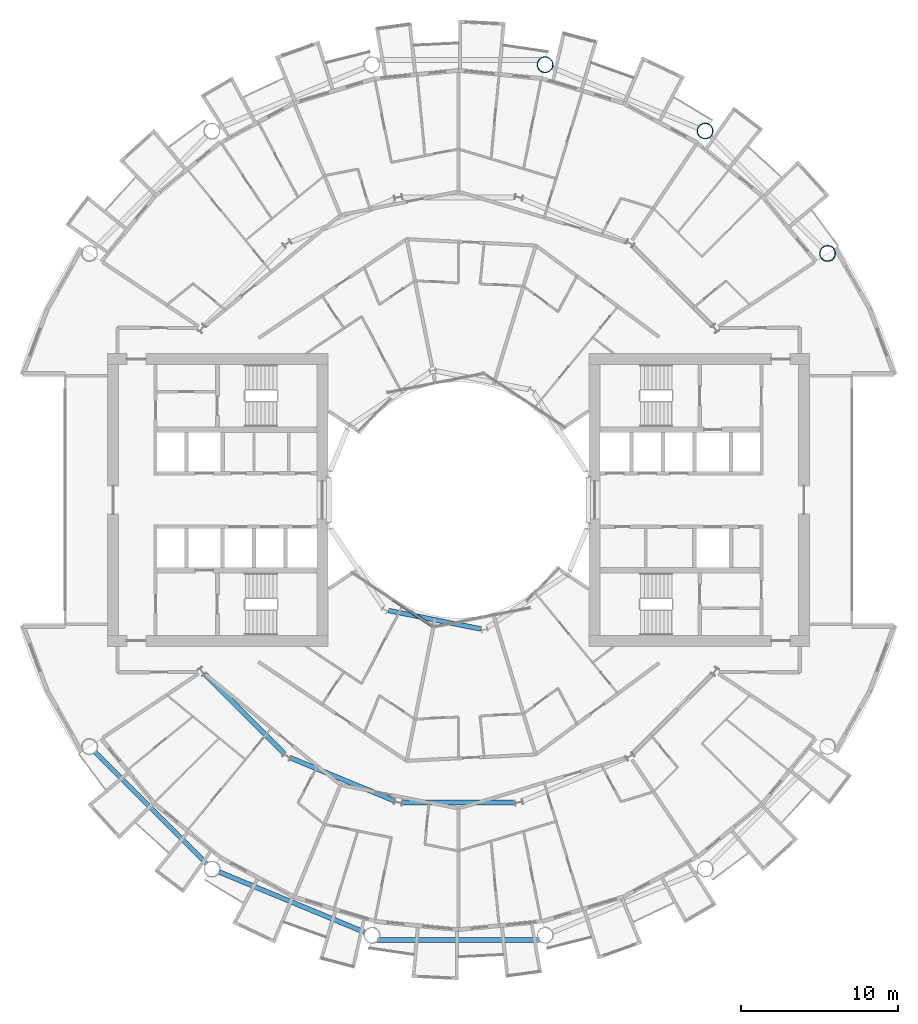
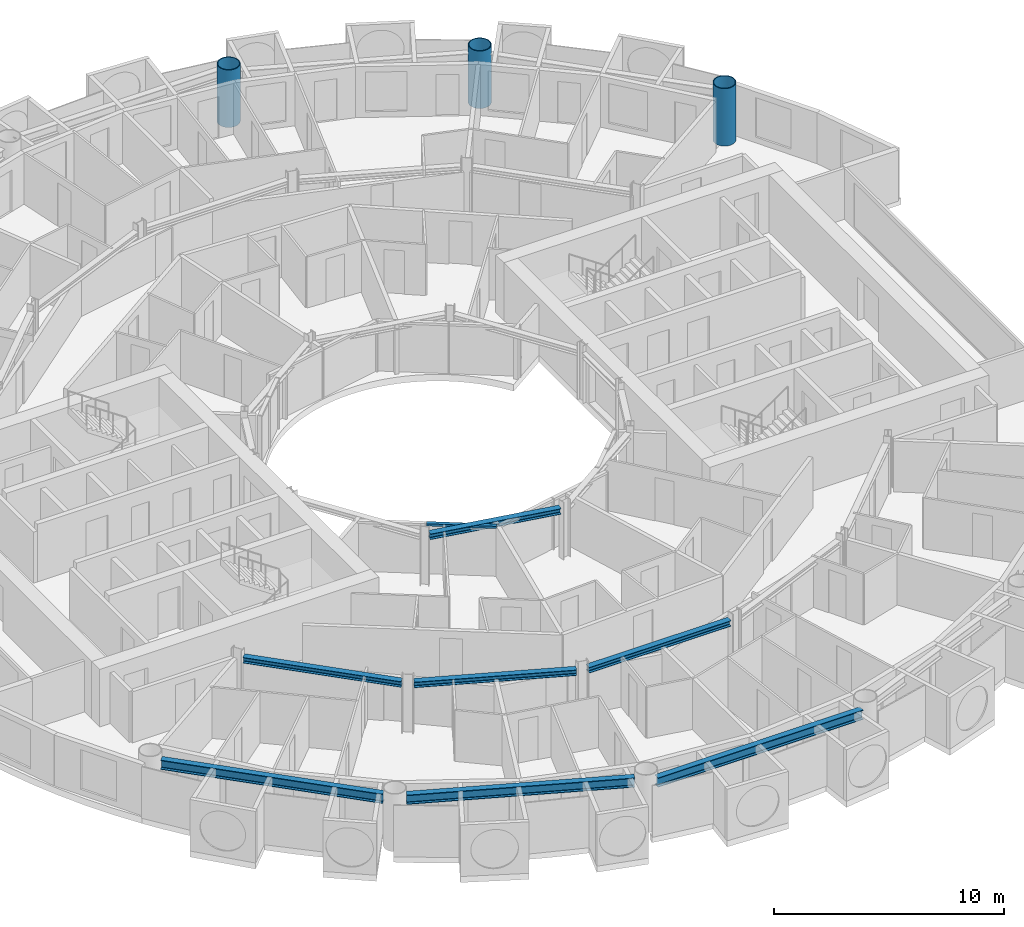
# One storey, part 4 of 26: 7 beams, 3 columns, 1 member, 1 element without a shape of its own.
"""IFC4 building model written with IfcOpenShell, lengths in metres."""

from ifc_helpers import new_model, si_unit, direction, frame, origin, origin_2d, place, context, subcontext, project, spatial, rectangle, hollow_circle, i_section, extrude, material, layer, layer_set, material_profile, profile_set, type_object, element, aggregate, save


model = new_model("IFC4")

# Units and contexts
model_context = context("Model", 3, precision=1e-05, world=origin(), true_north=direction((0.0, 1.0)))
body_context = subcontext(model_context, "Body", "Model", "MODEL_VIEW")
ifc_project = project(units=[si_unit("LENGTHUNIT", "METRE"), si_unit("AREAUNIT", "SQUARE_METRE"), si_unit("VOLUMEUNIT", "CUBIC_METRE"), si_unit("PLANEANGLEUNIT", "RADIAN"), si_unit("MASSUNIT", "GRAM", prefix="KILO")], contexts=[model_context])

# Site, building, storey
site_placement = place(None, origin())
site = spatial("IfcSite", under=ifc_project, at=site_placement, CompositionType="ELEMENT")
building_placement = place(site_placement, origin())
building = spatial("IfcBuilding", under=site, at=building_placement, Name="Maasbend Ring Residences", CompositionType="ELEMENT")
storey_placement = place(building_placement, frame((0.0, 0.0, 88.0)))
storey = spatial("IfcBuildingStorey", under=building, at=storey_placement, Name="L25", CompositionType="ELEMENT", Elevation=88.0)

# Columns
ifc_material_1 = material(Name="Composite concrete-filled steel tube S460NH / C80/95", Category="concrete")
ifc_material_profile_1 = material_profile(ifc_material_1, hollow_circle(Radius=0.508056640625, WallThickness=0.0400390625, at=origin_2d()), Name="Composite tube column CHS 1016x40")
ifc_profile_set_1 = profile_set([ifc_material_profile_1], Name="Composite concrete-filled steel tube S460NH / C80/95")
column_type = type_object("IfcColumnType", Name="Composite tube column CHS 1016x40", PredefinedType="COLUMN", material=ifc_profile_set_1)
for number, where, z_axis, x_axis, name in (
    (1, (23.447509765625, 15.6669921875, 0.0), (0.0, 0.0, 1.0), (1.0, 0.0, 0.0), "Outer column R2"),
    (2, (15.6669921875, 23.447509765625, 0.0), (0.0, 0.0, 1.0), (1.0, 0.0, 0.0), "Outer column R3"),
    (3, (5.50146484375, 27.658203125, 0.0), (0.0, 0.0, 1.0), (1.0, 0.0, 0.0), "Outer column R4"),
):
    element("IfcColumn", number, at=place(storey_placement, frame(where, z_axis=z_axis, x_axis=x_axis)), inside=storey, type_object=column_type, Name=name, PredefinedType="COLUMN", context=body_context, shape_type="SweptSolid", body=[
        extrude(hollow_circle(Radius=0.508056640625, WallThickness=0.0400390625, at=origin_2d()), origin(), (0.0, 0.0, 1.0), 3.050048828125),
    ])

# Curtain wall, member
ifc_material_2 = material(Name="Aluminium and clear glass", Category="aluminium")
ifc_layer = layer(ifc_material_2, 0.179931640625)
ifc_layer_set = layer_set([ifc_layer], Name="CW-W")
curtain_wall_type = type_object("IfcCurtainWallType", Name="CW-W", PredefinedType="NOTDEFINED", material=ifc_layer_set)
curtain_wall_placement = place(storey_placement, origin())
curtain_wall = element("IfcCurtainWall", 4, at=curtain_wall_placement, inside=storey, type_object=curtain_wall_type, Name="Well curtain wall S1", PredefinedType="NOTDEFINED")
ifc_material_3 = material(Name="Aluminium 6063-T6", Category="aluminium")
ifc_material_profile_2 = material_profile(ifc_material_3, rectangle(XDim=0.179931640625, YDim=0.1201171875, at=origin_2d()), Name="AL 180x120")
ifc_profile_set_2 = profile_set([ifc_material_profile_2], Name="Aluminium 6063-T6")
member_type = type_object("IfcMemberType", Name="CWT-W", PredefinedType="USERDEFINED", material=ifc_profile_set_2)
member_placement = place(storey_placement, frame((-4.19189453125, -6.32763671875, 2.639892578125), z_axis=(0.831496422459, -0.555530106689, 0.0), x_axis=(0.555530106689, 0.831496422459, 0.0)))
member = element("IfcMember", 5, at=member_placement, type_object=member_type, Name="Transom well face", ObjectType="TRANSOM", PredefinedType="USERDEFINED", context=body_context, shape_type="SweptSolid", body=[
    extrude(rectangle(XDim=0.179931640625, YDim=0.1201171875, at=origin_2d()), origin(), (0.0, 0.0, 1.0), 3.053955078125),
])
aggregate(curtain_wall, [member])

# Beams
ifc_material_4 = material(Name="Steel S355J2", Category="steel")
ifc_material_profile_3 = material_profile(ifc_material_4, i_section(OverallWidth=0.300048828125, OverallDepth=0.300048828125, WebThickness=0.010986328125, FlangeThickness=0.01904296875, FilletRadius=0.027099609375, at=origin_2d()), Name="HEB 300")
ifc_profile_set_3 = profile_set([ifc_material_profile_3], Name="Steel S355J2")
beam_type_1 = type_object("IfcBeamType", Name="Corridor ring beam HEB 300", PredefinedType="BEAM", material=ifc_profile_set_3)
for number, where, z_axis, x_axis, name in (
    (6, (-16.10791015625, -11.078125, 2.550048828125), (0.707106781187, -0.707106781187, 0.0), (0.707106781187, 0.707106781187, 0.0), "Corridor ring beam"),
    (7, (-10.642333984375, -16.39892578125, 2.550048828125), (0.923877113721, -0.382689271788, 0.0), (0.382689271788, 0.923877113721, 0.0), "Corridor ring beam"),
    (8, (-3.556640625, -19.223388671875, 2.550048828125), (1.0, 0.0, 0.0), (0.0, 1.0, 0.0), "Corridor ring beam"),
):
    element("IfcBeam", number, at=place(storey_placement, frame(where, z_axis=z_axis, x_axis=x_axis)), inside=storey, type_object=beam_type_1, Name=name, PredefinedType="BEAM", context=body_context, shape_type="SweptSolid", body=[
        extrude(i_section(OverallWidth=0.300048828125, OverallDepth=0.300048828125, WebThickness=0.010986328125, FlangeThickness=0.01904296875, FilletRadius=0.027099609375, at=origin_2d()), origin(), (0.0, 0.0, 1.0), 7.11328125),
    ])
ifc_material_5 = material(Name="Steel S355J2", Category="steel")
ifc_material_profile_4 = material_profile(ifc_material_5, i_section(OverallWidth=0.300048828125, OverallDepth=0.5, WebThickness=0.014404296875, FlangeThickness=0.028076171875, FilletRadius=0.027099609375, at=origin_2d()), Name="HEB 500")
ifc_profile_set_4 = profile_set([ifc_material_profile_4], Name="Steel S355J2")
beam_type_2 = type_object("IfcBeamType", Name="Spandrel ring beam HEB 500", PredefinedType="SPANDREL", material=ifc_profile_set_4)
beam_1_placement = place(storey_placement, frame((-23.088134765625, -16.0263671875, 2.449951171875), z_axis=(0.707106781187, -0.707106781187, 0.0), x_axis=(0.707106781187, 0.707106781187, 0.0)))
element("IfcBeam", 9, at=beam_1_placement, inside=storey, type_object=beam_type_2, Name="Spandrel ring beam", PredefinedType="SPANDREL", context=body_context, shape_type="SweptSolid", body=[
    extrude(i_section(OverallWidth=0.300048828125, OverallDepth=0.5, WebThickness=0.014404296875, FlangeThickness=0.028076171875, FilletRadius=0.027099609375, at=origin_2d()), origin(), (0.0, 0.0, 1.0), 9.98681640625),
])
beam_2_placement = place(storey_placement, frame((-15.19775390625, -23.641845703125, 2.449951171875), z_axis=(0.923886337442, -0.382667003395, 0.0), x_axis=(0.382667003395, 0.923886337442, 0.0)))
element("IfcBeam", 10, at=beam_2_placement, inside=storey, type_object=beam_type_2, Name="Spandrel ring beam", PredefinedType="SPANDREL", context=body_context, shape_type="SweptSolid", body=[
    extrude(i_section(OverallWidth=0.300048828125, OverallDepth=0.5, WebThickness=0.014404296875, FlangeThickness=0.028076171875, FilletRadius=0.027099609375, at=origin_2d()), origin(), (0.0, 0.0, 1.0), 9.9873046875),
])
beam_3_placement = place(storey_placement, frame((-5.1435546875, -27.9580078125, 2.449951171875), z_axis=(1.0, 0.0, 0.0), x_axis=(0.0, 1.0, 0.0)))
element("IfcBeam", 11, at=beam_3_placement, inside=storey, type_object=beam_type_2, Name="Spandrel ring beam", PredefinedType="SPANDREL", context=body_context, shape_type="SweptSolid", body=[
    extrude(i_section(OverallWidth=0.300048828125, OverallDepth=0.5, WebThickness=0.014404296875, FlangeThickness=0.028076171875, FilletRadius=0.027099609375, at=origin_2d()), origin(), (0.0, 0.0, 1.0), 10.287109375),
])
ifc_material_6 = material(Name="Steel S355J2", Category="steel")
ifc_material_profile_5 = material_profile(ifc_material_6, i_section(OverallWidth=0.300048828125, OverallDepth=0.300048828125, WebThickness=0.010986328125, FlangeThickness=0.01904296875, FilletRadius=0.027099609375, at=origin_2d()), Name="HEB 300")
ifc_profile_set_5 = profile_set([ifc_material_profile_5], Name="Steel S355J2")
beam_type_3 = type_object("IfcBeamType", Name="Well edge beam HEB 300", PredefinedType="BEAM", material=ifc_profile_set_5)
beam_4_placement = place(storey_placement, frame((-4.45458984375, -7.026611328125, 2.550048828125), z_axis=(0.980789954577, -0.195066821885, 0.0), x_axis=(0.195066821885, 0.980789954577, 0.0)))
element("IfcBeam", 12, at=beam_4_placement, inside=storey, type_object=beam_type_3, Name="Well edge beam", PredefinedType="BEAM", context=body_context, shape_type="SweptSolid", body=[
    extrude(i_section(OverallWidth=0.300048828125, OverallDepth=0.300048828125, WebThickness=0.010986328125, FlangeThickness=0.01904296875, FilletRadius=0.027099609375, at=origin_2d()), origin(), (0.0, 0.0, 1.0), 5.996337890625),
])

save(model, "model.ifc")
